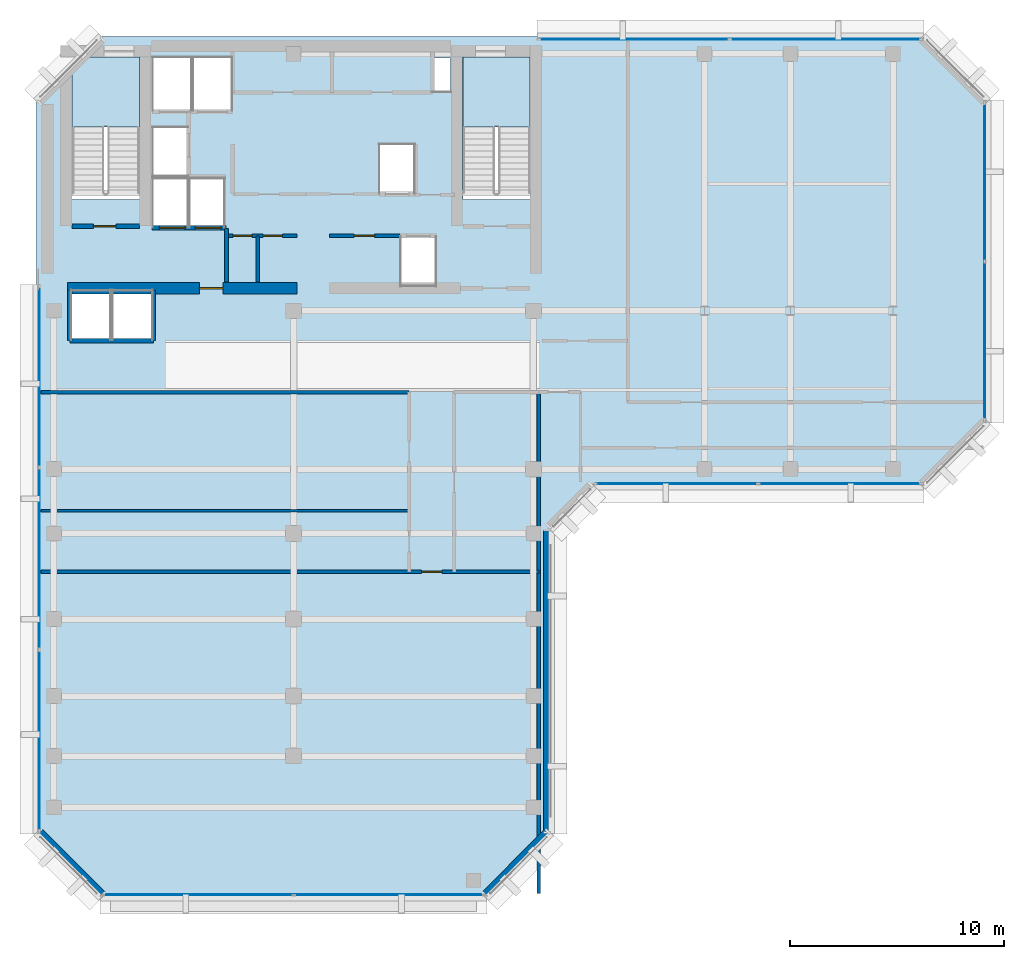
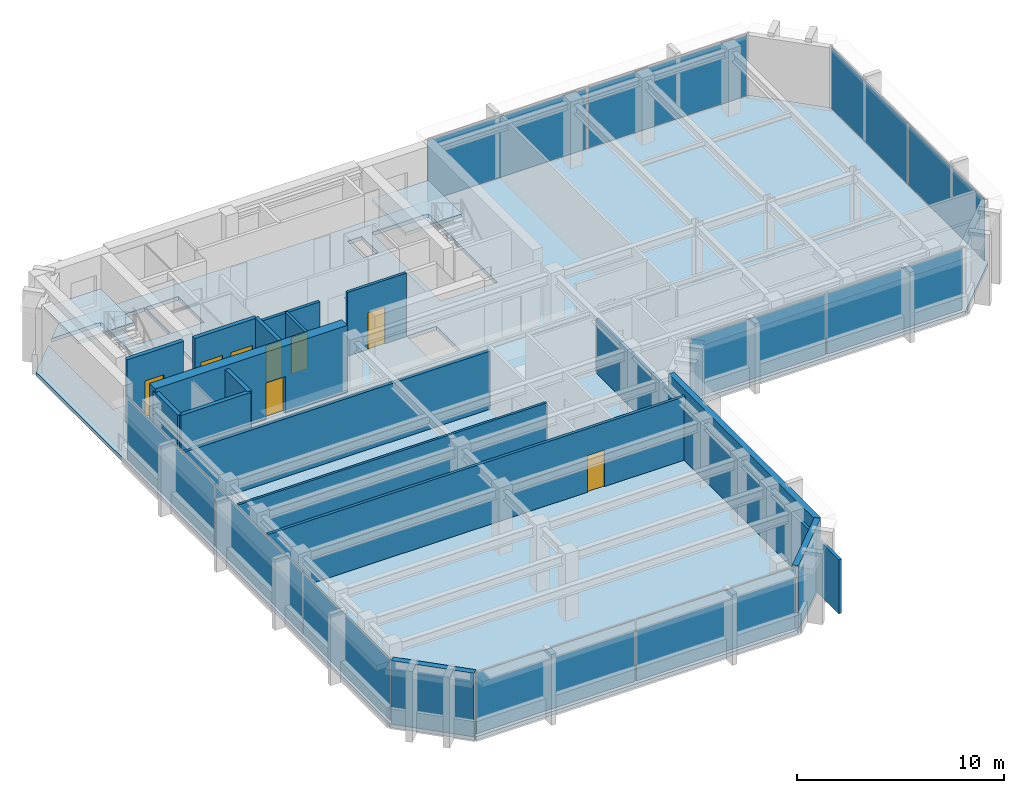
# One storey, part 6 of 11: 17 walls, 11 plates, 8 doors, 3 slabs, 8 openings, 7 elements without a shape of their own.
"""IFC4 building model written with IfcOpenShell, lengths in metres."""

from ifc_helpers import new_model, si_unit, direction, frame, frame_2d, origin, origin_2d, place, context, subcontext, project, spatial, polyline, rectangle, outline, extrude, material, layer, layer_set, type_object, element, fill, aggregate, save


model = new_model("IFC4")

# Units and contexts
model_context = context("Model", 3, precision=1e-05, world=origin(), true_north=direction((0.0, 1.0)))
body_context = subcontext(model_context, "Body", "Model", "MODEL_VIEW")
ifc_project = project(units=[si_unit("LENGTHUNIT", "METRE"), si_unit("AREAUNIT", "SQUARE_METRE"), si_unit("VOLUMEUNIT", "CUBIC_METRE"), si_unit("PLANEANGLEUNIT", "RADIAN"), si_unit("MASSUNIT", "GRAM", prefix="KILO")], contexts=[model_context])

# Site, building, storey
site_placement = place(None, origin())
site = spatial("IfcSite", under=ifc_project, at=site_placement, CompositionType="ELEMENT")
building_placement = place(site_placement, origin())
building = spatial("IfcBuilding", under=site, at=building_placement, Name="Kefirva Bronze Tower", CompositionType="ELEMENT")
storey_placement = place(building_placement, frame((0.0, 0.0, 323.72998046875)))
storey = spatial("IfcBuildingStorey", under=building, at=storey_placement, Name="L79", CompositionType="ELEMENT", Elevation=323.72998046875)

# Stair, slab
ifc_material_1 = material(Name="Concrete C40/50", Category="concrete")
stair_type = type_object("IfcStairType", Name="RC Dogleg Protected Stair 24R", PredefinedType="HALF_TURN_STAIR", material=ifc_material_1)
stair_1_placement = place(storey_placement, origin())
stair_1 = element("IfcStair", 1, at=stair_1_placement, inside=storey, type_object=stair_type, Name="L79 Protected Exit Stair 1", PredefinedType="HALF_TURN_STAIR")
ifc_layer_1 = layer(ifc_material_1, 0.199951171875, Name="Concrete C40/50")
ifc_layer_set_1 = layer_set([ifc_layer_1], Name="Concrete C40/50")
slab_type_1 = type_object("IfcSlabType", Name="RC Stair Landing Slab 200mm", PredefinedType="LANDING", material=ifc_layer_set_1)
slab_1_placement = place(storey_placement, frame((0.0, 0.0, 1.780029296875)))
slab_1 = element("IfcSlab", 2, at=slab_1_placement, type_object=slab_type_1, Name="ST-1 landing 1", PredefinedType="LANDING", context=body_context, shape_type="SweptSolid", body=[
    extrude(outline(polyline([(4.800048828125, 41.780029296875), (4.800048828125, 45.050048828125), (1.64990234375, 45.050048828125), (1.64990234375, 41.780029296875), (4.800048828125, 41.780029296875)])), origin(), (0.0, 0.0, 1.0), 0.199951171875),
])
aggregate(stair_1, [slab_1])

stair_2_placement = place(storey_placement, origin())
stair_2 = element("IfcStair", 3, at=stair_2_placement, inside=storey, type_object=stair_type, Name="L79 Protected Exit Stair 2", PredefinedType="HALF_TURN_STAIR")
slab_2_placement = place(storey_placement, frame((0.0, 0.0, 1.780029296875)))
slab_2 = element("IfcSlab", 4, at=slab_2_placement, type_object=slab_type_1, Name="ST-2 landing 1", PredefinedType="LANDING", context=body_context, shape_type="SweptSolid", body=[
    extrude(outline(polyline([(23.050048828125, 41.780029296875), (23.050048828125, 45.050048828125), (19.89990234375, 45.050048828125), (19.89990234375, 41.780029296875), (23.050048828125, 41.780029296875)])), origin(), (0.0, 0.0, 1.0), 0.199951171875),
])
aggregate(stair_2, [slab_2])

# Slab
ifc_layer_2 = layer(ifc_material_1, 0.219970703125, Name="Concrete C40/50")
ifc_layer_set_2 = layer_set([ifc_layer_2], Name="Concrete C40/50")
slab_type_2 = type_object("IfcSlabType", Name="RC Upper Floor Slab 220mm", PredefinedType="FLOOR", material=ifc_layer_set_2)
slab_3_placement = place(storey_placement, frame((0.0, 0.0, -0.219970703125)))
element("IfcSlab", 5, at=slab_3_placement, inside=storey, type_object=slab_type_2, Name="L79 Structural Floor Slab", PredefinedType="FLOOR", context=body_context, shape_type="SweptSolid", body=[
    extrude(outline(polyline([(0.0, 8.800048828125), (0.0, 43.0), (1.64990234375, 44.64990234375), (1.64990234375, 38.39990234375), (4.800048828125, 38.39990234375), (4.800048828125, 45.050048828125), (2.050048828125, 45.050048828125), (3.0, 46.0), (41.39990234375, 46.0), (44.39990234375, 43.0), (44.39990234375, 28.0), (41.39990234375, 25.0), (26.0, 25.0), (24.0, 23.0), (24.0, 8.800048828125), (21.0, 5.800048828125), (3.0, 5.800048828125), (0.0, 8.800048828125)]), holes=[polyline([(23.050048828125, 45.050048828125), (19.89990234375, 45.050048828125), (19.89990234375, 38.39990234375), (23.050048828125, 38.39990234375), (23.050048828125, 45.050048828125)]), polyline([(19.320068359375, 43.419921875), (19.320068359375, 45.0), (18.52001953125, 45.0), (18.52001953125, 43.419921875), (19.320068359375, 43.419921875)]), polyline([(18.64990234375, 36.64990234375), (17.0, 36.64990234375), (17.0, 34.35009765625), (18.64990234375, 34.35009765625), (18.64990234375, 36.64990234375)]), polyline([(17.64990234375, 38.679931640625), (17.64990234375, 40.97998046875), (16.0, 40.97998046875), (16.0, 38.679931640625), (17.64990234375, 38.679931640625)]), polyline([(9.1201171875, 42.550048828125), (9.1201171875, 45.050048828125), (7.300048828125, 45.050048828125), (7.300048828125, 42.550048828125), (9.1201171875, 42.550048828125)]), polyline([(8.780029296875, 37.10009765625), (8.780029296875, 39.39990234375), (7.139892578125, 39.39990234375), (7.139892578125, 37.10009765625), (8.780029296875, 37.10009765625)]), polyline([(7.239990234375, 42.550048828125), (7.239990234375, 45.050048828125), (5.419921875, 45.050048828125), (5.419921875, 42.550048828125), (7.239990234375, 42.550048828125)]), polyline([(7.06005859375, 37.10009765625), (7.06005859375, 39.39990234375), (5.419921875, 39.39990234375), (5.419921875, 37.10009765625), (7.06005859375, 37.10009765625)]), polyline([(7.06005859375, 41.780029296875), (5.419921875, 41.780029296875), (5.419921875, 39.47998046875), (7.06005859375, 39.47998046875), (7.06005859375, 41.780029296875)]), polyline([(5.39990234375, 31.85009765625), (5.39990234375, 34.14990234375), (3.550048828125, 34.14990234375), (3.550048828125, 31.85009765625), (5.39990234375, 31.85009765625)]), polyline([(3.449951171875, 34.14990234375), (1.60009765625, 34.14990234375), (1.60009765625, 31.85009765625), (3.449951171875, 31.85009765625), (3.449951171875, 34.14990234375)])]), origin(), (0.0, 0.0, 1.0), 0.219970703125),
])

# Curtain wall, plates
ifc_material_2 = material(Name="Bronze anodised aluminium", Category="aluminium")
ifc_layer_3 = layer(ifc_material_2, 0.179931640625, Name="Bronze anodised aluminium")
ifc_layer_set_3 = layer_set([ifc_layer_3], Name="Bronze anodised aluminium")
curtain_wall_type = type_object("IfcCurtainWallType", Name="Unitised Bronze Ribbon Curtain Wall Zone 4", PredefinedType="USERDEFINED", material=ifc_layer_set_3)
curtain_wall_1_placement = place(storey_placement, origin())
curtain_wall_1 = element("IfcCurtainWall", 6, at=curtain_wall_1_placement, inside=storey, type_object=curtain_wall_type, Name="L79 Curtain Wall 1", ObjectType="UNITISED CURTAIN WALL", PredefinedType="USERDEFINED")
ifc_material_3 = material(Name="Laminated low-E double glazing", Category="glass")
ifc_layer_4 = layer(ifc_material_3, 0.031982421875, Name="Laminated low-E double glazing")
ifc_layer_set_4 = layer_set([ifc_layer_4], Name="Laminated low-E double glazing")
plate_type = type_object("IfcPlateType", Name="Solar-Control Low-E Vision Panel 32mm", PredefinedType="CURTAIN_PANEL", material=ifc_layer_set_4)
plate_1_placement = place(storey_placement, frame((7.546142578125, 5.919921875, 0.0751953125), z_axis=(0.0, 0.0, 1.0), x_axis=(1.0, 0.0, 0.0)))
plate_1 = element("IfcPlate", 7, at=plate_1_placement, type_object=plate_type, Name="CW-04 panel 1.1", PredefinedType="CURTAIN_PANEL", context=body_context, shape_type="SweptSolid", body=[
    extrude(rectangle(XDim=8.83251953125, YDim=0.031982421875, at=origin_2d()), origin(), (0.0, 0.0, 1.0), 3.590087890625),
])
plate_2_placement = place(storey_placement, frame((16.453857421875, 5.919921875, 0.0751953125), z_axis=(0.0, 0.0, 1.0), x_axis=(1.0, 0.0, 0.0)))
plate_2 = element("IfcPlate", 8, at=plate_2_placement, type_object=plate_type, Name="CW-04 panel 2.1", PredefinedType="CURTAIN_PANEL", context=body_context, shape_type="SweptSolid", body=[
    extrude(rectangle(XDim=8.83251953125, YDim=0.031982421875, at=origin_2d()), origin(), (0.0, 0.0, 1.0), 3.590087890625),
])
aggregate(curtain_wall_1, [plate_1, plate_2])

curtain_wall_2_placement = place(storey_placement, origin())
curtain_wall_2 = element("IfcCurtainWall", 9, at=curtain_wall_2_placement, inside=storey, type_object=curtain_wall_type, Name="L79 Curtain Wall 2", ObjectType="UNITISED CURTAIN WALL", PredefinedType="USERDEFINED")
plate_3_placement = place(storey_placement, frame((29.896240234375, 25.1201171875, 0.0751953125), z_axis=(0.0, 0.0, 1.0), x_axis=(1.0, 0.0, 0.0)))
plate_3 = element("IfcPlate", 10, at=plate_3_placement, type_object=plate_type, Name="CW-04 panel 1.1", PredefinedType="CURTAIN_PANEL", context=body_context, shape_type="SweptSolid", body=[
    extrude(rectangle(XDim=7.532470703125, YDim=0.031982421875, at=origin_2d()), origin(), (0.0, 0.0, 1.0), 3.590087890625),
])
plate_4_placement = place(storey_placement, frame((37.503662109375, 25.1201171875, 0.0751953125), z_axis=(0.0, 0.0, 1.0), x_axis=(1.0, 0.0, 0.0)))
plate_4 = element("IfcPlate", 11, at=plate_4_placement, type_object=plate_type, Name="CW-04 panel 2.1", PredefinedType="CURTAIN_PANEL", context=body_context, shape_type="SweptSolid", body=[
    extrude(rectangle(XDim=7.532470703125, YDim=0.031982421875, at=origin_2d()), origin(), (0.0, 0.0, 1.0), 3.590087890625),
])
aggregate(curtain_wall_2, [plate_3, plate_4])

curtain_wall_3_placement = place(storey_placement, origin())
curtain_wall_3 = element("IfcCurtainWall", 12, at=curtain_wall_3_placement, inside=storey, type_object=curtain_wall_type, Name="L79 Curtain Wall 3", ObjectType="UNITISED CURTAIN WALL", PredefinedType="USERDEFINED")
plate_5_placement = place(storey_placement, frame((44.280029296875, 31.796142578125, 0.0751953125), z_axis=(0.0, 0.0, 1.0), x_axis=(0.0, 1.0, 0.0)))
plate_5 = element("IfcPlate", 13, at=plate_5_placement, type_object=plate_type, Name="CW-04 panel 1.1", PredefinedType="CURTAIN_PANEL", context=body_context, shape_type="SweptSolid", body=[
    extrude(rectangle(XDim=7.33251953125, YDim=0.031982421875, at=origin_2d()), origin(), (0.0, 0.0, 1.0), 3.590087890625),
])
plate_6_placement = place(storey_placement, frame((44.280029296875, 39.203857421875, 0.0751953125), z_axis=(0.0, 0.0, 1.0), x_axis=(0.0, 1.0, 0.0)))
plate_6 = element("IfcPlate", 14, at=plate_6_placement, type_object=plate_type, Name="CW-04 panel 2.1", PredefinedType="CURTAIN_PANEL", context=body_context, shape_type="SweptSolid", body=[
    extrude(rectangle(XDim=7.33251953125, YDim=0.031982421875, at=origin_2d()), origin(), (0.0, 0.0, 1.0), 3.590087890625),
])
aggregate(curtain_wall_3, [plate_5, plate_6])

curtain_wall_4_placement = place(storey_placement, origin())
curtain_wall_4 = element("IfcCurtainWall", 15, at=curtain_wall_4_placement, inside=storey, type_object=curtain_wall_type, Name="L79 Curtain Wall 4", ObjectType="UNITISED CURTAIN WALL", PredefinedType="USERDEFINED")
plate_7_placement = place(storey_placement, frame((36.84130859375, 45.8798828125, 0.0751953125), z_axis=(0.0, 0.0, 1.0), x_axis=(-1.0, 0.0, 0.0)))
plate_7 = element("IfcPlate", 16, at=plate_7_placement, type_object=plate_type, Name="CW-04 panel 1.1", PredefinedType="CURTAIN_PANEL", context=body_context, shape_type="SweptSolid", body=[
    extrude(rectangle(XDim=8.857421875, YDim=0.031982421875, at=origin_2d()), origin(), (0.0, 0.0, 1.0), 3.590087890625),
])
plate_8_placement = place(storey_placement, frame((27.90869140625, 45.8798828125, 0.0751953125), z_axis=(0.0, 0.0, 1.0), x_axis=(-1.0, 0.0, 0.0)))
plate_8 = element("IfcPlate", 17, at=plate_8_placement, type_object=plate_type, Name="CW-04 panel 2.1", PredefinedType="CURTAIN_PANEL", context=body_context, shape_type="SweptSolid", body=[
    extrude(rectangle(XDim=8.857421875, YDim=0.031982421875, at=origin_2d()), origin(), (0.0, 0.0, 1.0), 3.590087890625),
])
aggregate(curtain_wall_4, [plate_7, plate_8])

curtain_wall_5_placement = place(storey_placement, origin())
curtain_wall_5 = element("IfcCurtainWall", 18, at=curtain_wall_5_placement, inside=storey, type_object=curtain_wall_type, Name="L79 Curtain Wall 5", ObjectType="UNITISED CURTAIN WALL", PredefinedType="USERDEFINED")
plate_9_placement = place(storey_placement, frame((0.1201171875, 30.11962890625, 0.0751953125), z_axis=(0.0, 0.0, 1.0), x_axis=(0.0, -1.0, 0.0)))
plate_9 = element("IfcPlate", 19, at=plate_9_placement, type_object=plate_type, Name="CW-04 panel 1.1", PredefinedType="CURTAIN_PANEL", context=body_context, shape_type="SweptSolid", body=[
    extrude(rectangle(XDim=8.40087890625, YDim=0.031982421875, at=origin_2d()), origin(), (0.0, 0.0, 1.0), 3.590087890625),
])
plate_10_placement = place(storey_placement, frame((0.1201171875, 21.625, 0.0751953125), z_axis=(0.0, 0.0, 1.0), x_axis=(0.0, -1.0, 0.0)))
plate_10 = element("IfcPlate", 20, at=plate_10_placement, type_object=plate_type, Name="CW-04 panel 2.1", PredefinedType="CURTAIN_PANEL", context=body_context, shape_type="SweptSolid", body=[
    extrude(rectangle(XDim=8.438232421875, YDim=0.031982421875, at=origin_2d()), origin(), (0.0, 0.0, 1.0), 3.590087890625),
])
plate_11_placement = place(storey_placement, frame((0.1201171875, 13.13037109375, 0.0751953125), z_axis=(0.0, 0.0, 1.0), x_axis=(0.0, -1.0, 0.0)))
plate_11 = element("IfcPlate", 21, at=plate_11_placement, type_object=plate_type, Name="CW-04 panel 3.1", PredefinedType="CURTAIN_PANEL", context=body_context, shape_type="SweptSolid", body=[
    extrude(rectangle(XDim=8.40087890625, YDim=0.031982421875, at=origin_2d()), origin(), (0.0, 0.0, 1.0), 3.590087890625),
])
aggregate(curtain_wall_5, [plate_9, plate_10, plate_11])

# Wall
ifc_material_4 = material(Name="Gypsum acoustic partition")
ifc_layer_5 = layer(ifc_material_4, 0.1298828125, Name="Gypsum acoustic partition")
ifc_layer_set_5 = layer_set([ifc_layer_5], Name="Gypsum acoustic partition")
wall_type_1 = type_object("IfcWallType", Name="Acoustic Office Partition 130mm", PredefinedType="PARTITIONING", material=ifc_layer_set_5)
wall_1_placement = place(storey_placement, frame((0.18994140625, 23.85595703125, 0.0), z_axis=(0.0, 0.0, 1.0), x_axis=(1.0, 0.0, 0.0)))
element("IfcWall", 22, at=wall_1_placement, inside=storey, type_object=wall_type_1, Name="L79 Partition W-L79-SWD1", PredefinedType="PARTITIONING", context=body_context, shape_type="SweptSolid", body=[
    extrude(rectangle(XDim=17.2099609375, YDim=0.1298828125, at=frame_2d((8.60498046875, 0.0))), origin(), (0.0, 0.0, 1.0), 3.739990234375),
])

# Wall, opening, door
ifc_layer_6 = layer(ifc_material_4, 0.14990234375, Name="Gypsum acoustic partition")
ifc_layer_set_6 = layer_set([ifc_layer_6], Name="Gypsum acoustic partition")
wall_type_2 = type_object("IfcWallType", Name="Executive Suite Partition 150mm", PredefinedType="PARTITIONING", material=ifc_layer_set_6)
wall_2_placement = place(storey_placement, frame((13.679931640625, 36.699951171875, 0.0), z_axis=(0.0, 0.0, 1.0), x_axis=(1.0, 0.0, 0.0)))
wall_2 = element("IfcWall", 23, at=wall_2_placement, inside=storey, type_object=wall_type_2, Name="L79 Partition W-L79-RECMP1", PredefinedType="PARTITIONING", context=body_context, shape_type="SweptSolid", body=[
    extrude(rectangle(XDim=3.280029296875, YDim=0.14990234375, at=frame_2d((1.64013671875, 0.0))), origin(), (0.0, 0.0, 1.0), 3.739990234375),
])
opening_1_placement = place(wall_2_placement, frame((1.14990234375, 0.0, 0.0)))
opening_1 = element("IfcOpeningElement", 24, at=opening_1_placement, cuts=wall_2, Name="Opening L79-D-RECMP1", PredefinedType="OPENING", context=body_context, shape_type="SweptSolid", body=[
    extrude(rectangle(XDim=0.949951171875, YDim=2.14990234375, at=frame_2d((0.47509765625, 1.074951171875))), frame((0.0, 0.0849609375, 0.0), z_axis=(0.0, -1.0, 0.0), x_axis=(1.0, 0.0, 0.0)), (0.0, 0.0, 1.0), 0.169921875),
])
ifc_material_5 = material(Name="Acoustic hardwood oak", Category="wood")
door_type_1 = type_object("IfcDoorType", Name="Office & Meeting Room Door 950x2150", OperationType="NOTDEFINED", PredefinedType="DOOR", material=ifc_material_5)
door_1_placement = place(opening_1_placement, origin())
door_1 = element("IfcDoor", 25, at=door_1_placement, inside=storey, type_object=door_type_1, Name="Door L79-D-RECMP1", OperationType="SINGLE_SWING_LEFT", OverallHeight=2.14990234375, OverallWidth=0.949951171875, PredefinedType="DOOR", context=body_context, shape_type="SweptSolid", body=[
    extrude(rectangle(XDim=0.949951171875, YDim=2.14990234375, at=frame_2d((0.47509765625, 1.074951171875))), frame((0.0, 0.02490234375, 0.0), z_axis=(0.0, -1.0, 0.0), x_axis=(1.0, 0.0, 0.0)), (0.0, 0.0, 1.0), 0.050048828125),
])
fill(opening_1, door_1)

ifc_material_6 = material(Name="Gypsum fireboard shaftwall")
ifc_layer_7 = layer(ifc_material_6, 0.219970703125, Name="Gypsum fireboard shaftwall")
ifc_layer_set_7 = layer_set([ifc_layer_7], Name="Gypsum fireboard shaftwall")
wall_type_3 = type_object("IfcWallType", Name="Fire-Rated Shaft Enclosure Wall 220mm", PredefinedType="PARTITIONING", material=ifc_layer_set_7)
wall_3_placement = place(storey_placement, frame((1.64990234375, 37.14990234375, 0.0), z_axis=(0.0, 0.0, 1.0), x_axis=(1.0, 0.0, 0.0)))
wall_3 = element("IfcWall", 26, at=wall_3_placement, inside=storey, type_object=wall_type_3, Name="L79 Partition W-L79-ST1S", PredefinedType="PARTITIONING", context=body_context, shape_type="SweptSolid", body=[
    extrude(rectangle(XDim=3.150146484375, YDim=0.219970703125, at=frame_2d((1.5751953125, 0.0))), origin(), (0.0, 0.0, 1.0), 3.739990234375),
])
opening_2_placement = place(wall_3_placement, frame((2.050048828125, 0.0, 0.0), z_axis=(0.0, 0.0, 1.0), x_axis=(-1.0, 0.0, 0.0)))
opening_2 = element("IfcOpeningElement", 27, at=opening_2_placement, cuts=wall_3, Name="Opening L79-D001", PredefinedType="OPENING", context=body_context, shape_type="SweptSolid", body=[
    extrude(rectangle(XDim=1.050048828125, YDim=2.14990234375, at=frame_2d((0.52490234375, 1.074951171875))), frame((0.0, 0.1201171875, 0.0), z_axis=(0.0, -1.0, 0.0), x_axis=(1.0, 0.0, 0.0)), (0.0, 0.0, 1.0), 0.239990234375),
])
ifc_material_7 = material(Name="Painted galvanized steel", Category="steel")
door_type_2 = type_object("IfcDoorType", Name="Fire Stair Enclosure Door 1050x2150 FD90S", OperationType="NOTDEFINED", PredefinedType="DOOR", material=ifc_material_7)
door_2_placement = place(opening_2_placement, origin())
door_2 = element("IfcDoor", 28, at=door_2_placement, inside=storey, type_object=door_type_2, Name="Door L79-D001", OperationType="SINGLE_SWING_LEFT", OverallHeight=2.14990234375, OverallWidth=1.050048828125, PredefinedType="DOOR", context=body_context, shape_type="SweptSolid", body=[
    extrude(rectangle(XDim=1.050048828125, YDim=2.14990234375, at=frame_2d((0.52490234375, 1.074951171875))), frame((0.0, 0.02490234375, 0.0), z_axis=(0.0, -1.0, 0.0), x_axis=(1.0, 0.0, 0.0)), (0.0, 0.0, 1.0), 0.050048828125),
])
fill(opening_2, door_2)

# Wall, openings, doors
wall_4_placement = place(storey_placement, frame((5.3798828125, 37.080078125, 0.0), z_axis=(0.0, 0.0, 1.0), x_axis=(1.0, 0.0, 0.0)))
wall_4 = element("IfcWall", 29, at=wall_4_placement, inside=storey, type_object=wall_type_3, Name="L79 Partition W-L79-FFS", PredefinedType="PARTITIONING", context=body_context, shape_type="SweptSolid", body=[
    extrude(rectangle(XDim=3.460205078125, YDim=0.219970703125, at=frame_2d((1.72998046875, 0.0))), origin(), (0.0, 0.0, 1.0), 3.739990234375),
])
opening_3_placement = place(wall_4_placement, frame((1.550048828125, 0.0, 0.0), z_axis=(0.0, 0.0, 1.0), x_axis=(-1.0, 0.0, 0.0)))
opening_3 = element("IfcOpeningElement", 30, at=opening_3_placement, cuts=wall_4, Name="Opening L79-LD-FF1", PredefinedType="OPENING", context=body_context, shape_type="SweptSolid", body=[
    extrude(rectangle(XDim=1.199951171875, YDim=2.199951171875, at=frame_2d((0.60009765625, 1.10009765625))), frame((0.0, 0.1201171875, 0.0), z_axis=(0.0, -1.0, 0.0), x_axis=(1.0, 0.0, 0.0)), (0.0, 0.0, 1.0), 0.239990234375),
])
opening_4_placement = place(wall_4_placement, frame((3.219970703125, 0.0, 0.0), z_axis=(0.0, 0.0, 1.0), x_axis=(-1.0, 0.0, 0.0)))
opening_4 = element("IfcOpeningElement", 31, at=opening_4_placement, cuts=wall_4, Name="Opening L79-LD-FF2", PredefinedType="OPENING", context=body_context, shape_type="SweptSolid", body=[
    extrude(rectangle(XDim=1.199951171875, YDim=2.199951171875, at=frame_2d((0.60009765625, 1.10009765625))), frame((0.0, 0.1201171875, 0.0), z_axis=(0.0, -1.0, 0.0), x_axis=(1.0, 0.0, 0.0)), (0.0, 0.0, 1.0), 0.239990234375),
])
ifc_material_8 = material(Name="Stainless steel 316", Category="steel")
door_type_3 = type_object("IfcDoorType", Name="Firefighting Lift Sliding Door 1200x2200", OperationType="SLIDING_TO_RIGHT", PredefinedType="DOOR", material=ifc_material_8)
door_3_placement = place(opening_3_placement, origin())
door_3 = element("IfcDoor", 32, at=door_3_placement, inside=storey, type_object=door_type_3, Name="Door L79-LD-FF1", OperationType="SLIDING_TO_RIGHT", OverallHeight=2.199951171875, OverallWidth=1.199951171875, PredefinedType="DOOR", context=body_context, shape_type="SweptSolid", body=[
    extrude(rectangle(XDim=1.199951171875, YDim=2.199951171875, at=frame_2d((0.60009765625, 1.10009765625))), frame((0.0, 0.02490234375, 0.0), z_axis=(0.0, -1.0, 0.0), x_axis=(1.0, 0.0, 0.0)), (0.0, 0.0, 1.0), 0.050048828125),
])
fill(opening_3, door_3)
door_4_placement = place(opening_4_placement, origin())
door_4 = element("IfcDoor", 33, at=door_4_placement, inside=storey, type_object=door_type_3, Name="Door L79-LD-FF2", OperationType="SLIDING_TO_RIGHT", OverallHeight=2.199951171875, OverallWidth=1.199951171875, PredefinedType="DOOR", context=body_context, shape_type="SweptSolid", body=[
    extrude(rectangle(XDim=1.199951171875, YDim=2.199951171875, at=frame_2d((0.60009765625, 1.10009765625))), frame((0.0, 0.02490234375, 0.0), z_axis=(0.0, -1.0, 0.0), x_axis=(1.0, 0.0, 0.0)), (0.0, 0.0, 1.0), 0.050048828125),
])
fill(opening_4, door_4)

# Walls
wall_5_placement = place(storey_placement, frame((1.550048828125, 31.800048828125, 0.0), z_axis=(0.0, 0.0, 1.0), x_axis=(1.0, 0.0, 0.0)))
element("IfcWall", 34, at=wall_5_placement, inside=storey, type_object=wall_type_3, Name="L79 Partition W-L79-OBS", PredefinedType="PARTITIONING", context=body_context, shape_type="SweptSolid", body=[
    extrude(rectangle(XDim=3.89990234375, YDim=0.219970703125, at=frame_2d((1.949951171875, 0.0))), origin(), (0.0, 0.0, 1.0), 3.739990234375),
])
for number, where, z_axis, x_axis, name in (
    (35, (1.550048828125, 31.800048828125, 0.0), (0.0, 0.0, 1.0), (0.0, 1.0, 0.0), "L79 Partition W-L79-OBW"),
    (36, (5.449951171875, 31.800048828125, 0.0), (0.0, 0.0, 1.0), (0.0, 1.0, 0.0), "L79 Partition W-L79-OBE"),
):
    element("IfcWall", number, at=place(storey_placement, frame(where, z_axis=z_axis, x_axis=x_axis)), inside=storey, type_object=wall_type_3, Name=name, PredefinedType="PARTITIONING", context=body_context, shape_type="SweptSolid", body=[
        extrude(rectangle(XDim=2.3798828125, YDim=0.219970703125, at=frame_2d((1.18994140625, 0.0))), origin(), (0.0, 0.0, 1.0), 3.739990234375),
    ])
ifc_material_9 = material(Name="Gypsum fireboard barrier")
ifc_layer_8 = layer(ifc_material_9, 0.199951171875, Name="Gypsum fireboard barrier")
ifc_layer_set_8 = layer_set([ifc_layer_8], Name="Gypsum fireboard barrier")
wall_type_4 = type_object("IfcWallType", Name="Firefighting Lobby Barrier Wall 200mm", PredefinedType="PARTITIONING", material=ifc_layer_set_8)
wall_6_placement = place(storey_placement, frame((8.860107421875, 34.550048828125, 0.0), z_axis=(0.0, 0.0, 1.0), x_axis=(0.0, 1.0, 0.0)))
element("IfcWall", 37, at=wall_6_placement, inside=storey, type_object=wall_type_4, Name="L79 Partition W-L79-FFLE", PredefinedType="PARTITIONING", context=body_context, shape_type="SweptSolid", body=[
    extrude(rectangle(XDim=2.5, YDim=0.199951171875, at=frame_2d((1.25, 0.0))), origin(), (0.0, 0.0, 1.0), 3.739990234375),
])
ifc_material_10 = material(Name="Precast concrete C40/50", Category="concrete")
ifc_layer_9 = layer(ifc_material_10, 0.320068359375, Name="Precast concrete C40/50")
ifc_layer_set_9 = layer_set([ifc_layer_9], Name="Precast concrete C40/50")
wall_type_5 = type_object("IfcWallType", Name="Precast Insulated Exterior Wall 320mm", PredefinedType="SOLIDWALL", material=ifc_layer_set_9)
wall_7_placement = place(storey_placement, frame((20.92578125, 5.951904296875, 0.0), z_axis=(0.0, 0.0, 1.0), x_axis=(0.707077242712, 0.707136318428, 0.0)))
element("IfcWall", 38, at=wall_7_placement, inside=storey, type_object=wall_type_5, Name="L79 Exterior Facade Wall 1", PredefinedType="SOLIDWALL", context=body_context, shape_type="SweptSolid", body=[
    extrude(rectangle(XDim=4.132568359375, YDim=0.320068359375, at=frame_2d((2.06640625, 0.0))), origin(), (0.0, 0.0, 1.0), 3.739990234375),
])
wall_8_placement = place(storey_placement, frame((23.840087890625, 8.85498046875, 0.0), z_axis=(0.0, 0.0, 1.0), x_axis=(0.0, 1.0, 0.0)))
element("IfcWall", 39, at=wall_8_placement, inside=storey, type_object=wall_type_5, Name="L79 Exterior Facade Wall 2", PredefinedType="SOLIDWALL", context=body_context, shape_type="SweptSolid", body=[
    extrude(rectangle(XDim=14.090087890625, YDim=0.320068359375, at=frame_2d((7.044921875, 0.0))), origin(), (0.0, 0.0, 1.0), 3.739990234375),
])
wall_9_placement = place(storey_placement, frame((0.152099609375, 8.874267578125, 0.0), z_axis=(0.0, 0.0, 1.0), x_axis=(0.707077242712, -0.707136318428, 0.0)))
element("IfcWall", 40, at=wall_9_placement, inside=storey, type_object=wall_type_5, Name="L79 Exterior Facade Wall 7", PredefinedType="SOLIDWALL", context=body_context, shape_type="SweptSolid", body=[
    extrude(rectangle(XDim=4.132568359375, YDim=0.320068359375, at=frame_2d((2.06640625, 0.0))), origin(), (0.0, 0.0, 1.0), 3.739990234375),
])

# Wall, openings, doors
ifc_layer_10 = layer(ifc_material_4, 0.159912109375, Name="Gypsum acoustic partition")
ifc_layer_set_10 = layer_set([ifc_layer_10], Name="Gypsum acoustic partition")
wall_type_6 = type_object("IfcWallType", Name="Protected Corridor Partition 160mm", PredefinedType="PARTITIONING", material=ifc_layer_set_10)
wall_10_placement = place(storey_placement, frame((8.89990234375, 36.699951171875, 0.0), z_axis=(0.0, 0.0, 1.0), x_axis=(1.0, 0.0, 0.0)))
wall_10 = element("IfcWall", 41, at=wall_10_placement, inside=storey, type_object=wall_type_6, Name="L79 Partition W-L79-RECLP1", PredefinedType="PARTITIONING", context=body_context, shape_type="SweptSolid", body=[
    extrude(rectangle(XDim=3.25, YDim=0.159912109375, at=frame_2d((1.625, 0.0))), origin(), (0.0, 0.0, 1.0), 3.739990234375),
])
opening_5_placement = place(wall_10_placement, frame((0.260009765625, 0.0, 0.0)))
opening_5 = element("IfcOpeningElement", 42, at=opening_5_placement, cuts=wall_10, Name="Opening L79-D-RECLP1A", PredefinedType="OPENING", context=body_context, shape_type="SweptSolid", body=[
    extrude(rectangle(XDim=0.89990234375, YDim=2.14990234375, at=frame_2d((0.449951171875, 1.074951171875))), frame((0.0, 0.08984375, 0.0), z_axis=(0.0, -1.0, 0.0), x_axis=(1.0, 0.0, 0.0)), (0.0, 0.0, 1.0), 0.179931640625),
])
opening_6_placement = place(wall_10_placement, frame((1.679931640625, 0.0, 0.0)))
opening_6 = element("IfcOpeningElement", 43, at=opening_6_placement, cuts=wall_10, Name="Opening L79-D-RECLP1B", PredefinedType="OPENING", context=body_context, shape_type="SweptSolid", body=[
    extrude(rectangle(XDim=0.89990234375, YDim=2.14990234375, at=frame_2d((0.449951171875, 1.074951171875))), frame((0.0, 0.08984375, 0.0), z_axis=(0.0, -1.0, 0.0), x_axis=(1.0, 0.0, 0.0)), (0.0, 0.0, 1.0), 0.179931640625),
])
door_type_4 = type_object("IfcDoorType", Name="Core Archive & Server Fire Door 900x2150 FD60S", OperationType="NOTDEFINED", PredefinedType="DOOR", material=ifc_material_7)
door_5_placement = place(opening_5_placement, origin())
door_5 = element("IfcDoor", 44, at=door_5_placement, inside=storey, type_object=door_type_4, Name="Door L79-D-RECLP1A", OperationType="SINGLE_SWING_RIGHT", OverallHeight=2.14990234375, OverallWidth=0.89990234375, PredefinedType="DOOR", context=body_context, shape_type="SweptSolid", body=[
    extrude(rectangle(XDim=0.89990234375, YDim=2.14990234375, at=frame_2d((0.449951171875, 1.074951171875))), frame((0.0, 0.02490234375, 0.0), z_axis=(0.0, -1.0, 0.0), x_axis=(1.0, 0.0, 0.0)), (0.0, 0.0, 1.0), 0.050048828125),
])
fill(opening_5, door_5)
door_6_placement = place(opening_6_placement, origin())
door_6 = element("IfcDoor", 45, at=door_6_placement, inside=storey, type_object=door_type_4, Name="Door L79-D-RECLP1B", OperationType="SINGLE_SWING_LEFT", OverallHeight=2.14990234375, OverallWidth=0.89990234375, PredefinedType="DOOR", context=body_context, shape_type="SweptSolid", body=[
    extrude(rectangle(XDim=0.89990234375, YDim=2.14990234375, at=frame_2d((0.449951171875, 1.074951171875))), frame((0.0, 0.02490234375, 0.0), z_axis=(0.0, -1.0, 0.0), x_axis=(1.0, 0.0, 0.0)), (0.0, 0.0, 1.0), 0.050048828125),
])
fill(opening_6, door_6)

# Wall
wall_11_placement = place(storey_placement, frame((10.320068359375, 34.550048828125, 0.0), z_axis=(0.0, 0.0, 1.0), x_axis=(0.0, 1.0, 0.0)))
element("IfcWall", 46, at=wall_11_placement, inside=storey, type_object=wall_type_6, Name="L79 Partition W-L79-RECLP1D", PredefinedType="PARTITIONING", context=body_context, shape_type="SweptSolid", body=[
    extrude(rectangle(XDim=2.14990234375, YDim=0.159912109375, at=frame_2d((1.074951171875, 0.0))), origin(), (0.0, 0.0, 1.0), 3.739990234375),
])

# Wall, opening, door
wall_12_placement = place(storey_placement, frame((0.18994140625, 21.0, 0.0), z_axis=(0.0, 0.0, 1.0), x_axis=(1.0, 0.0, 0.0)))
wall_12 = element("IfcWall", 47, at=wall_12_placement, inside=storey, type_object=wall_type_6, Name="L79 Partition W-L79-SBEND", PredefinedType="PARTITIONING", context=body_context, shape_type="SweptSolid", body=[
    extrude(rectangle(XDim=23.260009765625, YDim=0.159912109375, at=frame_2d((11.6298828125, 0.0))), origin(), (0.0, 0.0, 1.0), 3.739990234375),
])
opening_7_placement = place(wall_12_placement, frame((17.7900390625, 0.0, 0.0)))
opening_7 = element("IfcOpeningElement", 48, at=opening_7_placement, cuts=wall_12, Name="Opening L79-D-SEND1", PredefinedType="OPENING", context=body_context, shape_type="SweptSolid", body=[
    extrude(rectangle(XDim=0.949951171875, YDim=2.14990234375, at=frame_2d((0.47509765625, 1.074951171875))), frame((0.0, 0.08984375, 0.0), z_axis=(0.0, -1.0, 0.0), x_axis=(1.0, 0.0, 0.0)), (0.0, 0.0, 1.0), 0.179931640625),
])
door_7_placement = place(opening_7_placement, origin())
door_7 = element("IfcDoor", 49, at=door_7_placement, inside=storey, type_object=door_type_1, Name="Door L79-D-SEND1", OperationType="SINGLE_SWING_LEFT", OverallHeight=2.14990234375, OverallWidth=0.949951171875, PredefinedType="DOOR", context=body_context, shape_type="SweptSolid", body=[
    extrude(rectangle(XDim=0.949951171875, YDim=2.14990234375, at=frame_2d((0.47509765625, 1.074951171875))), frame((0.0, 0.02490234375, 0.0), z_axis=(0.0, -1.0, 0.0), x_axis=(1.0, 0.0, 0.0)), (0.0, 0.0, 1.0), 0.050048828125),
])
fill(opening_7, door_7)

# Walls
wall_13_placement = place(storey_placement, frame((0.18994140625, 29.39990234375, 0.0), z_axis=(0.0, 0.0, 1.0), x_axis=(1.0, 0.0, 0.0)))
element("IfcWall", 50, at=wall_13_placement, inside=storey, type_object=wall_type_6, Name="L79 Partition W-L79-NWT", PredefinedType="PARTITIONING", context=body_context, shape_type="SweptSolid", body=[
    extrude(rectangle(XDim=17.2099609375, YDim=0.159912109375, at=frame_2d((8.60498046875, 0.0))), origin(), (0.0, 0.0, 1.0), 3.425048828125),
])
wall_14_placement = place(storey_placement, frame((23.449951171875, 5.989990234375, 0.0), z_axis=(0.0, 0.0, 1.0), x_axis=(0.0, 1.0, 0.0)))
element("IfcWall", 51, at=wall_14_placement, inside=storey, type_object=wall_type_6, Name="L79 Partition W-L79-SWEAST", PredefinedType="PARTITIONING", context=body_context, shape_type="SweptSolid", body=[
    extrude(rectangle(XDim=23.409912109375, YDim=0.159912109375, at=frame_2d((11.705078125, 0.0))), origin(), (0.0, 0.0, 1.0), 3.175048828125),
])

# Wall, opening, door
ifc_material_11 = material(Name="Concrete C50/60", Category="concrete")
ifc_layer_11 = layer(ifc_material_11, 0.550048828125, Name="Concrete C50/60")
ifc_layer_set_11 = layer_set([ifc_layer_11], Name="Concrete C50/60")
wall_type_7 = type_object("IfcWallType", Name="RC Rear Core Interior Wall 550mm", PredefinedType="SHEAR", material=ifc_layer_set_11)
wall_15_placement = place(storey_placement, frame((1.449951171875, 34.25, 0.0), z_axis=(0.0, 0.0, 1.0), x_axis=(1.0, 0.0, 0.0)))
wall_15 = element("IfcWall", 52, at=wall_15_placement, inside=storey, type_object=wall_type_7, Name="L79 Rear Core South-West Shear Wall", PredefinedType="SHEAR", context=body_context, shape_type="SweptSolid", body=[
    extrude(rectangle(XDim=10.7099609375, YDim=0.550048828125, at=frame_2d((5.35498046875, 0.0))), origin(), (0.0, 0.0, 1.0), 3.9599609375),
])
opening_8_placement = place(wall_15_placement, frame((7.25, 0.0, 0.0), z_axis=(0.0, 0.0, 1.0), x_axis=(-1.0, 0.0, 0.0)))
opening_8 = element("IfcOpeningElement", 53, at=opening_8_placement, cuts=wall_15, Name="Opening L79-D002", PredefinedType="OPENING", context=body_context, shape_type="SweptSolid", body=[
    extrude(rectangle(XDim=1.10009765625, YDim=2.14990234375, at=frame_2d((0.550048828125, 1.074951171875))), frame((0.0, 0.28515625, 0.0), z_axis=(0.0, -1.0, 0.0), x_axis=(1.0, 0.0, 0.0)), (0.0, 0.0, 1.0), 0.570068359375),
])
door_type_5 = type_object("IfcDoorType", Name="Firefighting Lobby Smoke Door 1100x2150 FD60S", OperationType="NOTDEFINED", PredefinedType="DOOR", material=ifc_material_7)
door_8_placement = place(opening_8_placement, origin())
door_8 = element("IfcDoor", 54, at=door_8_placement, inside=storey, type_object=door_type_5, Name="Door L79-D002", OperationType="SINGLE_SWING_RIGHT", OverallHeight=2.14990234375, OverallWidth=1.10009765625, PredefinedType="DOOR", context=body_context, shape_type="SweptSolid", body=[
    extrude(rectangle(XDim=1.10009765625, YDim=2.14990234375, at=frame_2d((0.550048828125, 1.074951171875))), frame((0.0, 0.02490234375, 0.0), z_axis=(0.0, -1.0, 0.0), x_axis=(1.0, 0.0, 0.0)), (0.0, 0.0, 1.0), 0.050048828125),
])
fill(opening_8, door_8)

save(model, "model.ifc")
